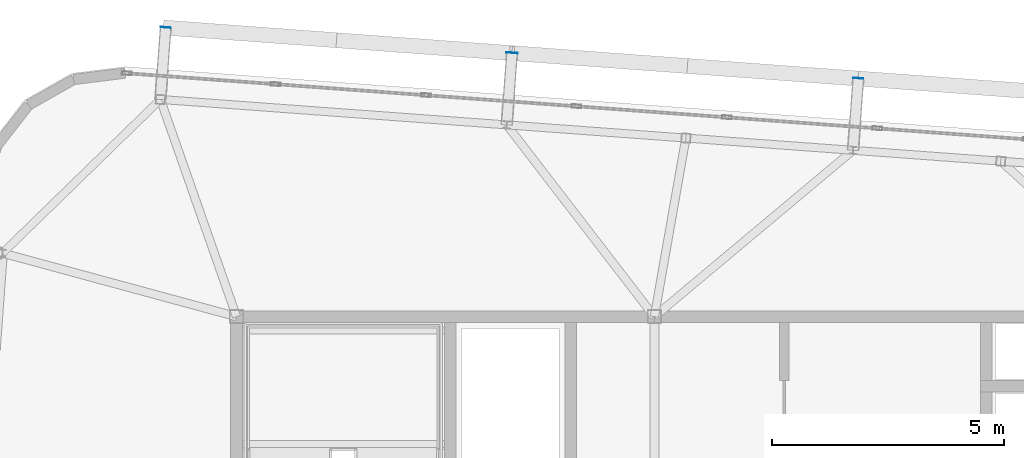
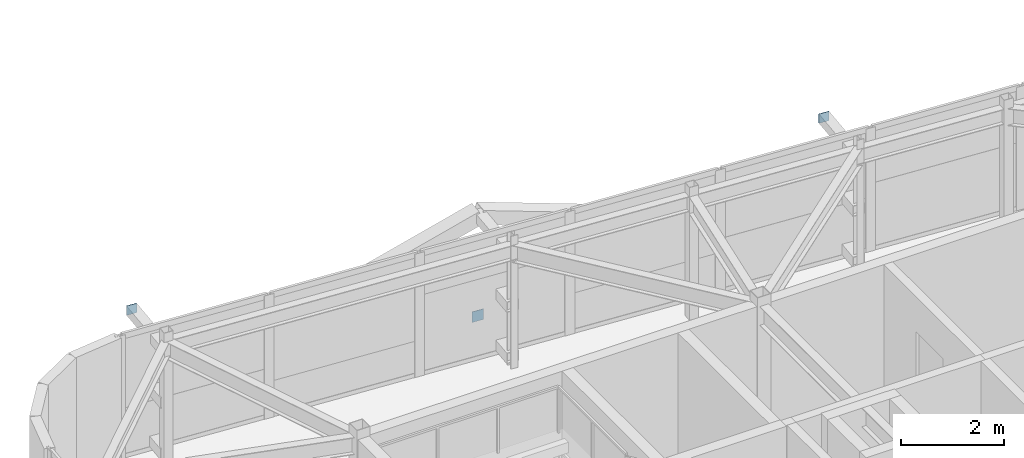
# One storey, part 36 of 42: 3 plates.
"""IFC4 building model written with IfcOpenShell, lengths in metres."""

from ifc_helpers import new_model, si_unit, direction, frame, origin, origin_2d, place, context, subcontext, project, spatial, rectangle, extrude, source, transform, mapped, material, layer, layer_set, type_object, element, save


model = new_model("IFC4")

# Units and contexts
model_context = context("Model", 3, precision=1e-05, world=origin(), true_north=direction((0.0, 1.0)))
body_context = subcontext(model_context, "Body", "Model", "MODEL_VIEW")
ifc_project = project(units=[si_unit("LENGTHUNIT", "METRE"), si_unit("AREAUNIT", "SQUARE_METRE"), si_unit("VOLUMEUNIT", "CUBIC_METRE"), si_unit("PLANEANGLEUNIT", "RADIAN"), si_unit("MASSUNIT", "GRAM", prefix="KILO")], contexts=[model_context])

# Site, building, storey
site_placement = place(None, origin())
site = spatial("IfcSite", under=ifc_project, at=site_placement, CompositionType="ELEMENT")
building_placement = place(site_placement, origin())
building = spatial("IfcBuilding", under=site, at=building_placement, Name="Taldren Reach Tower", CompositionType="ELEMENT")
storey_placement = place(building_placement, frame((0.0, 0.0, 217.699951171875)))
storey = spatial("IfcBuildingStorey", under=building, at=storey_placement, Name="L66", CompositionType="ELEMENT", Elevation=217.699951171875)

# Plates
ifc_material_1 = material(Name="Steel Gr 350 (C350L0)", Category="steel")
ifc_layer_1 = layer(ifc_material_1, 0.011962890625)
ifc_layer_set_1 = layer_set([ifc_layer_1], Name="Steel Gr 350 (C350L0)")
plate_type_1 = type_object("IfcPlateType", Name="PL-CAP-250", PredefinedType="SHEET", material=ifc_layer_set_1)
shared_shape_1 = source(origin(), body_context, "Body", "SweptSolid", [
    extrude(rectangle(XDim=0.25, YDim=0.011962890625, at=origin_2d()), origin(), (0.0, 0.0, 1.0), 0.25),
])
plate_placement = place(storey_placement, frame((24.93359375, 37.682861328125, 0.094970703125), z_axis=(0.0, 0.0, 1.0), x_axis=(0.997314477224, -0.073238197128, 0.0)))
element("IfcPlate", 1, at=plate_placement, inside=storey, type_object=plate_type_1, Name="Tie strut end cap plate B5-N2 L66", PredefinedType="SHEET", context=body_context, shape_type="MappedRepresentation", body=[
    mapped(shared_shape_1, transform((0.0, 0.0, 0.0), scale=1.0)),
])
ifc_material_2 = material(Name="Steel Gr 450 (C450L0)", Category="steel")
ifc_layer_2 = layer(ifc_material_2, 0.011962890625)
ifc_layer_set_2 = layer_set([ifc_layer_2], Name="Steel Gr 450 (C450L0)")
plate_type_2 = type_object("IfcPlateType", Name="PL-CAP-220", PredefinedType="SHEET", material=ifc_layer_set_2)
shared_shape_2 = source(origin(), body_context, "Body", "SweptSolid", [
    extrude(rectangle(XDim=0.219970703125, YDim=0.011962890625, at=origin_2d()), origin(), (0.0, 0.0, 1.0), 0.219970703125),
])
for number, where, z_axis, x_axis, name in (
    (2, (17.4736328125, 38.230712890625, 2.5400390625), (0.0, 0.0, 1.0), (0.997314477224, -0.073238197128, 0.0), "Tie strut end cap plate B5-N1 L66"),
    (3, (32.3935546875, 37.135009765625, 2.5400390625), (0.0, 0.0, 1.0), (0.997314477224, -0.073238197128, 0.0), "Tie strut end cap plate B5-N3 L66"),
):
    element("IfcPlate", number, at=place(storey_placement, frame(where, z_axis=z_axis, x_axis=x_axis)), inside=storey, type_object=plate_type_2, Name=name, PredefinedType="SHEET", context=body_context, shape_type="MappedRepresentation", body=[
        mapped(shared_shape_2, transform((0.0, 0.0, 0.0), scale=1.0)),
    ])

save(model, "model.ifc")
